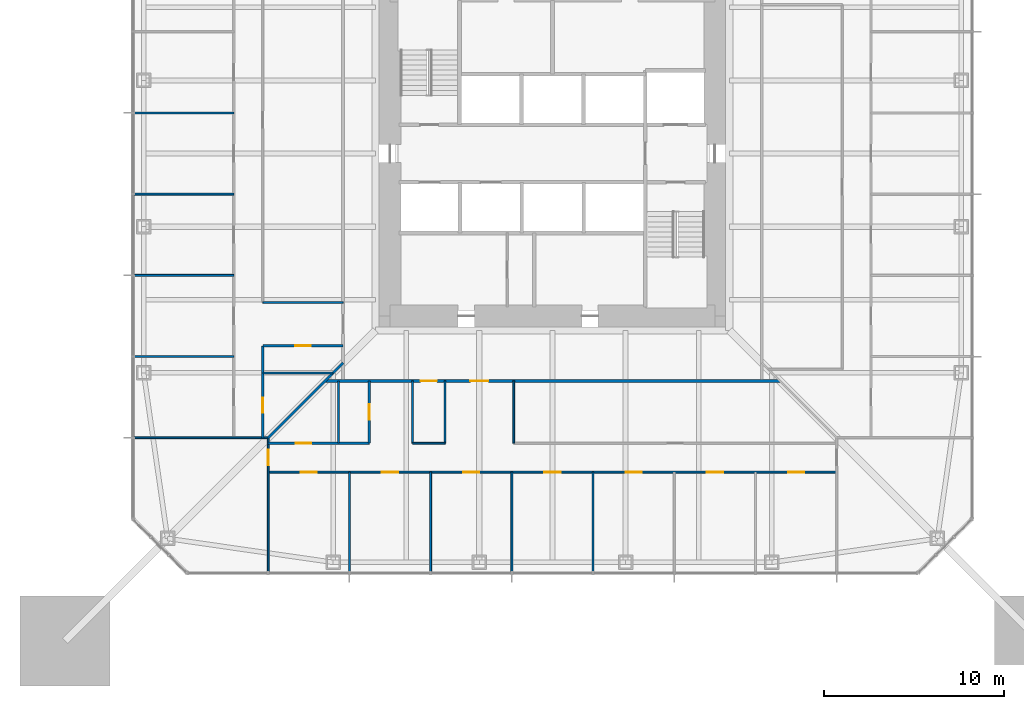
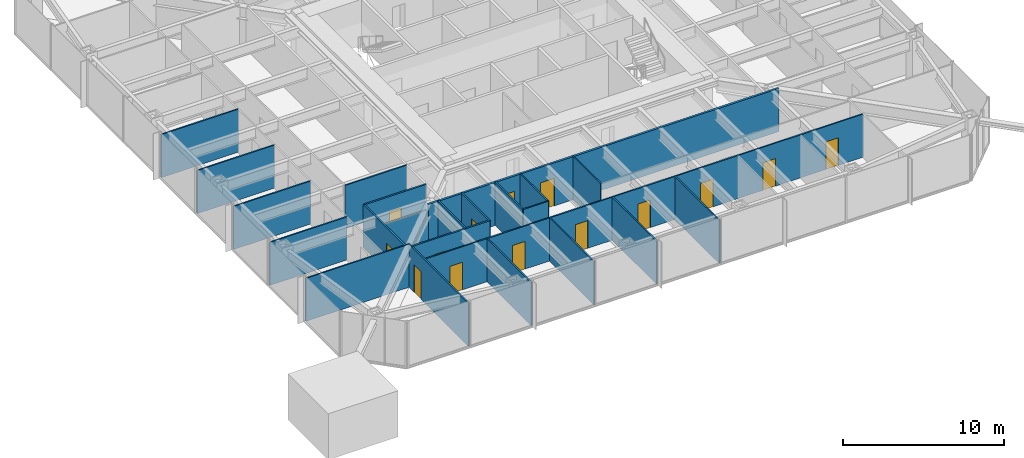
# One storey, part 14 of 26: 24 walls, 14 doors, 14 openings.
"""IFC4 building model written with IfcOpenShell, lengths in metres."""

from ifc_helpers import new_model, si_unit, direction, frame, frame_2d, origin, place, context, subcontext, project, spatial, rectangle, extrude, material, layer, layer_set, type_object, element, fill, save


model = new_model("IFC4")

# Units and contexts
model_context = context("Model", 3, precision=1e-05, world=origin(), true_north=direction((0.0, 1.0)))
body_context = subcontext(model_context, "Body", "Model", "MODEL_VIEW")
ifc_project = project(units=[si_unit("LENGTHUNIT", "METRE"), si_unit("AREAUNIT", "SQUARE_METRE"), si_unit("VOLUMEUNIT", "CUBIC_METRE"), si_unit("PLANEANGLEUNIT", "RADIAN"), si_unit("MASSUNIT", "GRAM", prefix="KILO")], contexts=[model_context])

# Site, building, storey
site_placement = place(None, origin())
site = spatial("IfcSite", under=ifc_project, at=site_placement, CompositionType="ELEMENT")
building_placement = place(site_placement, origin())
building = spatial("IfcBuilding", under=site, at=building_placement, Name="Iwan Alto Co-Living Towers", CompositionType="ELEMENT")
storey_placement = place(building_placement, frame((0.0, 0.0, 18.5)))
storey = spatial("IfcBuildingStorey", under=building, at=storey_placement, Name="L04", CompositionType="ELEMENT", Elevation=18.5)

# Wall, openings, doors
ifc_material_1 = material(Name="Gypsum board")
ifc_layer_1 = layer(ifc_material_1, 0.02490234375, Name="Board", Category="Finish")
ifc_material_2 = material(Name="Steel ASTM A1003 ST33H cold-formed studs", Category="steel")
ifc_layer_2 = layer(ifc_material_2, 0.10009765625, Name="Studs", Category="Framing")
ifc_layer_3 = layer(ifc_material_1, 0.02490234375, Name="Board", Category="Finish")
ifc_layer_set_1 = layer_set([ifc_layer_1, ifc_layer_2, ifc_layer_3], Name="CORRIDOR WALL 150")
wall_type_1 = type_object("IfcWallType", Name="CORRIDOR WALL 150", PredefinedType="PARTITIONING", material=ifc_layer_set_1)
wall_1_placement = place(storey_placement, frame((-12.60009765625, -12.60009765625, 0.0), z_axis=(0.0, 0.0, 1.0), x_axis=(1.0, 0.0, 0.0)))
wall_1 = element("IfcWall", 1, at=wall_1_placement, inside=storey, type_object=wall_type_1, Name="Partition L04", PredefinedType="PARTITIONING", context=body_context, shape_type="SweptSolid", body=[
    extrude(rectangle(XDim=25.2001953125, YDim=0.14990234375, at=frame_2d((12.60009765625, 0.0))), origin(), (0.0, 0.0, 1.0), 3.27001953125),
])
opening_1_placement = place(wall_1_placement, frame((8.050048828125, 0.0, 0.0)))
opening_1 = element("IfcOpeningElement", 2, at=opening_1_placement, cuts=wall_1, Name="Opening D3", PredefinedType="OPENING", context=body_context, shape_type="SweptSolid", body=[
    extrude(rectangle(XDim=1.0, YDim=2.10009765625, at=frame_2d((0.5, 1.050048828125))), frame((0.0, 0.0849609375, 0.0), z_axis=(0.0, -1.0, 0.0), x_axis=(1.0, 0.0, 0.0)), (0.0, 0.0, 1.0), 0.169921875),
])
opening_2_placement = place(wall_1_placement, frame((5.300048828125, 0.0, 0.0)))
opening_2 = element("IfcOpeningElement", 3, at=opening_2_placement, cuts=wall_1, Name="Opening D8", PredefinedType="OPENING", context=body_context, shape_type="SweptSolid", body=[
    extrude(rectangle(XDim=0.89990234375, YDim=2.10009765625, at=frame_2d((0.449951171875, 1.050048828125))), frame((0.0, 0.0849609375, 0.0), z_axis=(0.0, -1.0, 0.0), x_axis=(1.0, 0.0, 0.0)), (0.0, 0.0, 1.0), 0.169921875),
])
ifc_material_3 = material(Name="Steel frame with timber leaf", Category="steel")
door_type_1 = type_object("IfcDoorType", Name="FLAT ENTRANCE DOOR FD30S 1000X2100", OperationType="SINGLE_SWING_LEFT", PredefinedType="DOOR", material=ifc_material_3)
door_1_placement = place(opening_1_placement, frame((1.0, 0.0, 0.0), z_axis=(0.0, 0.0, 1.0), x_axis=(-1.0, 0.0, 0.0)))
door_1 = element("IfcDoor", 4, at=door_1_placement, inside=storey, type_object=door_type_1, Name="Cluster lounge door L04", OperationType="SINGLE_SWING_RIGHT", OverallHeight=2.10009765625, OverallWidth=1.0, PredefinedType="DOOR", context=body_context, shape_type="SweptSolid", body=[
    extrude(rectangle(XDim=1.0, YDim=2.10009765625, at=frame_2d((0.5, 1.050048828125))), frame((0.0, 0.02490234375, 0.0), z_axis=(0.0, -1.0, 0.0), x_axis=(1.0, 0.0, 0.0)), (0.0, 0.0, 1.0), 0.050048828125),
])
fill(opening_1, door_1)
ifc_material_4 = material(Name="Steel frame with timber leaf", Category="steel")
door_type_2 = type_object("IfcDoorType", Name="RISER DOOR FD120 900X2100", OperationType="SINGLE_SWING_LEFT", PredefinedType="DOOR", material=ifc_material_4)
door_2_placement = place(opening_2_placement, frame((0.89990234375, 0.0, 0.0), z_axis=(0.0, 0.0, 1.0), x_axis=(-1.0, 0.0, 0.0)))
door_2 = element("IfcDoor", 5, at=door_2_placement, inside=storey, type_object=door_type_2, Name="Staff WC door L04", OperationType="SINGLE_SWING_RIGHT", OverallHeight=2.10009765625, OverallWidth=0.89990234375, PredefinedType="DOOR", context=body_context, shape_type="SweptSolid", body=[
    extrude(rectangle(XDim=0.89990234375, YDim=2.10009765625, at=frame_2d((0.449951171875, 1.050048828125))), frame((0.0, 0.02490234375, 0.0), z_axis=(0.0, -1.0, 0.0), x_axis=(1.0, 0.0, 0.0)), (0.0, 0.0, 1.0), 0.050048828125),
])
fill(opening_2, door_2)

ifc_layer_4 = layer(ifc_material_1, 0.012451171875, Name="Board", Category="Finish")
ifc_layer_5 = layer(ifc_material_2, 0.074951171875, Name="Studs", Category="Framing")
ifc_layer_6 = layer(ifc_material_1, 0.012451171875, Name="Board", Category="Finish")
ifc_layer_set_2 = layer_set([ifc_layer_4, ifc_layer_5, ifc_layer_6], Name="PARTITION 100")
wall_type_2 = type_object("IfcWallType", Name="PARTITION 100", PredefinedType="PARTITIONING", material=ifc_layer_set_2)
wall_2_placement = place(storey_placement, frame((-15.75, -17.64990234375, 0.0), z_axis=(0.0, 0.0, 1.0), x_axis=(1.0, 0.0, 0.0)))
wall_2 = element("IfcWall", 6, at=wall_2_placement, inside=storey, type_object=wall_type_2, Name="Partition L04", PredefinedType="PARTITIONING", context=body_context, shape_type="SweptSolid", body=[
    extrude(rectangle(XDim=31.5, YDim=0.10009765625, at=frame_2d((15.75, 0.0))), origin(), (0.0, 0.0, 1.0), 3.27001953125),
])
opening_3_placement = place(wall_2_placement, frame((1.800048828125, 0.0, 0.0)))
opening_3 = element("IfcOpeningElement", 7, at=opening_3_placement, cuts=wall_2, Name="Opening D1", PredefinedType="OPENING", context=body_context, shape_type="SweptSolid", body=[
    extrude(rectangle(XDim=0.89990234375, YDim=2.10009765625, at=frame_2d((0.449951171875, 1.050048828125))), frame((0.0, 0.06005859375, 0.0), z_axis=(0.0, -1.0, 0.0), x_axis=(1.0, 0.0, 0.0)), (0.0, 0.0, 1.0), 0.1201171875),
])
opening_4_placement = place(wall_2_placement, frame((6.300048828125, 0.0, 0.0)))
opening_4 = element("IfcOpeningElement", 8, at=opening_4_placement, cuts=wall_2, Name="Opening D1", PredefinedType="OPENING", context=body_context, shape_type="SweptSolid", body=[
    extrude(rectangle(XDim=0.89990234375, YDim=2.10009765625, at=frame_2d((0.449951171875, 1.050048828125))), frame((0.0, 0.06005859375, 0.0), z_axis=(0.0, -1.0, 0.0), x_axis=(1.0, 0.0, 0.0)), (0.0, 0.0, 1.0), 0.1201171875),
])
opening_5_placement = place(wall_2_placement, frame((10.800048828125, 0.0, 0.0)))
opening_5 = element("IfcOpeningElement", 9, at=opening_5_placement, cuts=wall_2, Name="Opening D1", PredefinedType="OPENING", context=body_context, shape_type="SweptSolid", body=[
    extrude(rectangle(XDim=0.89990234375, YDim=2.10009765625, at=frame_2d((0.449951171875, 1.050048828125))), frame((0.0, 0.06005859375, 0.0), z_axis=(0.0, -1.0, 0.0), x_axis=(1.0, 0.0, 0.0)), (0.0, 0.0, 1.0), 0.1201171875),
])
opening_6_placement = place(wall_2_placement, frame((15.300048828125, 0.0, 0.0)))
opening_6 = element("IfcOpeningElement", 10, at=opening_6_placement, cuts=wall_2, Name="Opening D1", PredefinedType="OPENING", context=body_context, shape_type="SweptSolid", body=[
    extrude(rectangle(XDim=0.89990234375, YDim=2.10009765625, at=frame_2d((0.449951171875, 1.050048828125))), frame((0.0, 0.06005859375, 0.0), z_axis=(0.0, -1.0, 0.0), x_axis=(1.0, 0.0, 0.0)), (0.0, 0.0, 1.0), 0.1201171875),
])
opening_7_placement = place(wall_2_placement, frame((19.800048828125, 0.0, 0.0)))
opening_7 = element("IfcOpeningElement", 11, at=opening_7_placement, cuts=wall_2, Name="Opening D1", PredefinedType="OPENING", context=body_context, shape_type="SweptSolid", body=[
    extrude(rectangle(XDim=0.89990234375, YDim=2.10009765625, at=frame_2d((0.449951171875, 1.050048828125))), frame((0.0, 0.06005859375, 0.0), z_axis=(0.0, -1.0, 0.0), x_axis=(1.0, 0.0, 0.0)), (0.0, 0.0, 1.0), 0.1201171875),
])
opening_8_placement = place(wall_2_placement, frame((24.300048828125, 0.0, 0.0)))
opening_8 = element("IfcOpeningElement", 12, at=opening_8_placement, cuts=wall_2, Name="Opening D1", PredefinedType="OPENING", context=body_context, shape_type="SweptSolid", body=[
    extrude(rectangle(XDim=0.89990234375, YDim=2.10009765625, at=frame_2d((0.449951171875, 1.050048828125))), frame((0.0, 0.06005859375, 0.0), z_axis=(0.0, -1.0, 0.0), x_axis=(1.0, 0.0, 0.0)), (0.0, 0.0, 1.0), 0.1201171875),
])
opening_9_placement = place(wall_2_placement, frame((28.800048828125, 0.0, 0.0)))
opening_9 = element("IfcOpeningElement", 13, at=opening_9_placement, cuts=wall_2, Name="Opening D1", PredefinedType="OPENING", context=body_context, shape_type="SweptSolid", body=[
    extrude(rectangle(XDim=0.89990234375, YDim=2.10009765625, at=frame_2d((0.449951171875, 1.050048828125))), frame((0.0, 0.06005859375, 0.0), z_axis=(0.0, -1.0, 0.0), x_axis=(1.0, 0.0, 0.0)), (0.0, 0.0, 1.0), 0.1201171875),
])
ifc_material_5 = material(Name="Timber leaf in steel frame", Category="steel")
door_type_3 = type_object("IfcDoorType", Name="BEDROOM DOOR 900X2100", OperationType="SINGLE_SWING_LEFT", PredefinedType="DOOR", material=ifc_material_5)
door_3_placement = place(opening_3_placement, origin())
door_3 = element("IfcDoor", 14, at=door_3_placement, inside=storey, type_object=door_type_3, Name="Study bedroom door L04", OperationType="SINGLE_SWING_LEFT", OverallHeight=2.10009765625, OverallWidth=0.89990234375, PredefinedType="DOOR", context=body_context, shape_type="SweptSolid", body=[
    extrude(rectangle(XDim=0.89990234375, YDim=2.10009765625, at=frame_2d((0.449951171875, 1.050048828125))), frame((0.0, 0.02490234375, 0.0), z_axis=(0.0, -1.0, 0.0), x_axis=(1.0, 0.0, 0.0)), (0.0, 0.0, 1.0), 0.050048828125),
])
fill(opening_3, door_3)
door_4_placement = place(opening_4_placement, origin())
door_4 = element("IfcDoor", 15, at=door_4_placement, inside=storey, type_object=door_type_3, Name="Study bedroom door L04", OperationType="SINGLE_SWING_LEFT", OverallHeight=2.10009765625, OverallWidth=0.89990234375, PredefinedType="DOOR", context=body_context, shape_type="SweptSolid", body=[
    extrude(rectangle(XDim=0.89990234375, YDim=2.10009765625, at=frame_2d((0.449951171875, 1.050048828125))), frame((0.0, 0.02490234375, 0.0), z_axis=(0.0, -1.0, 0.0), x_axis=(1.0, 0.0, 0.0)), (0.0, 0.0, 1.0), 0.050048828125),
])
fill(opening_4, door_4)
door_5_placement = place(opening_5_placement, origin())
door_5 = element("IfcDoor", 16, at=door_5_placement, inside=storey, type_object=door_type_3, Name="Study bedroom door L04", OperationType="SINGLE_SWING_LEFT", OverallHeight=2.10009765625, OverallWidth=0.89990234375, PredefinedType="DOOR", context=body_context, shape_type="SweptSolid", body=[
    extrude(rectangle(XDim=0.89990234375, YDim=2.10009765625, at=frame_2d((0.449951171875, 1.050048828125))), frame((0.0, 0.02490234375, 0.0), z_axis=(0.0, -1.0, 0.0), x_axis=(1.0, 0.0, 0.0)), (0.0, 0.0, 1.0), 0.050048828125),
])
fill(opening_5, door_5)
door_6_placement = place(opening_6_placement, origin())
door_6 = element("IfcDoor", 17, at=door_6_placement, inside=storey, type_object=door_type_3, Name="Study bedroom door L04", OperationType="SINGLE_SWING_LEFT", OverallHeight=2.10009765625, OverallWidth=0.89990234375, PredefinedType="DOOR", context=body_context, shape_type="SweptSolid", body=[
    extrude(rectangle(XDim=0.89990234375, YDim=2.10009765625, at=frame_2d((0.449951171875, 1.050048828125))), frame((0.0, 0.02490234375, 0.0), z_axis=(0.0, -1.0, 0.0), x_axis=(1.0, 0.0, 0.0)), (0.0, 0.0, 1.0), 0.050048828125),
])
fill(opening_6, door_6)
door_7_placement = place(opening_7_placement, origin())
door_7 = element("IfcDoor", 18, at=door_7_placement, inside=storey, type_object=door_type_3, Name="Study bedroom door L04", OperationType="SINGLE_SWING_RIGHT", OverallHeight=2.10009765625, OverallWidth=0.89990234375, PredefinedType="DOOR", context=body_context, shape_type="SweptSolid", body=[
    extrude(rectangle(XDim=0.89990234375, YDim=2.10009765625, at=frame_2d((0.449951171875, 1.050048828125))), frame((0.0, 0.02490234375, 0.0), z_axis=(0.0, -1.0, 0.0), x_axis=(1.0, 0.0, 0.0)), (0.0, 0.0, 1.0), 0.050048828125),
])
fill(opening_7, door_7)
door_8_placement = place(opening_8_placement, origin())
door_8 = element("IfcDoor", 19, at=door_8_placement, inside=storey, type_object=door_type_3, Name="Study bedroom door L04", OperationType="SINGLE_SWING_RIGHT", OverallHeight=2.10009765625, OverallWidth=0.89990234375, PredefinedType="DOOR", context=body_context, shape_type="SweptSolid", body=[
    extrude(rectangle(XDim=0.89990234375, YDim=2.10009765625, at=frame_2d((0.449951171875, 1.050048828125))), frame((0.0, 0.02490234375, 0.0), z_axis=(0.0, -1.0, 0.0), x_axis=(1.0, 0.0, 0.0)), (0.0, 0.0, 1.0), 0.050048828125),
])
fill(opening_8, door_8)
door_9_placement = place(opening_9_placement, origin())
door_9 = element("IfcDoor", 20, at=door_9_placement, inside=storey, type_object=door_type_3, Name="Study bedroom door L04", OperationType="SINGLE_SWING_RIGHT", OverallHeight=2.10009765625, OverallWidth=0.89990234375, PredefinedType="DOOR", context=body_context, shape_type="SweptSolid", body=[
    extrude(rectangle(XDim=0.89990234375, YDim=2.10009765625, at=frame_2d((0.449951171875, 1.050048828125))), frame((0.0, 0.02490234375, 0.0), z_axis=(0.0, -1.0, 0.0), x_axis=(1.0, 0.0, 0.0)), (0.0, 0.0, 1.0), 0.050048828125),
])
fill(opening_9, door_9)

# Walls
wall_3_placement = place(storey_placement, frame((-7.75, -16.050048828125, 0.0), z_axis=(0.0, 0.0, 1.0), x_axis=(1.0, 0.0, 0.0)))
element("IfcWall", 21, at=wall_3_placement, inside=storey, type_object=wall_type_2, Name="Partition L04", PredefinedType="PARTITIONING", context=body_context, shape_type="SweptSolid", body=[
    extrude(rectangle(XDim=1.800048828125, YDim=0.10009765625, at=frame_2d((0.89990234375, 0.0))), origin(), (0.0, 0.0, 1.0), 3.27001953125),
])
wall_4_placement = place(storey_placement, frame((-23.18994140625, -15.75, 0.0), z_axis=(0.0, 0.0, 1.0), x_axis=(1.0, 0.0, 0.0)))
element("IfcWall", 22, at=wall_4_placement, inside=storey, type_object=wall_type_2, Name="Partition L04", PredefinedType="PARTITIONING", context=body_context, shape_type="SweptSolid", body=[
    extrude(rectangle(XDim=7.43994140625, YDim=0.10009765625, at=frame_2d((3.719970703125, 0.0))), origin(), (0.0, 0.0, 1.0), 3.27001953125),
])
wall_5_placement = place(storey_placement, frame((-23.18994140625, -11.25, 0.0), z_axis=(0.0, 0.0, 1.0), x_axis=(1.0, 0.0, 0.0)))
element("IfcWall", 23, at=wall_5_placement, inside=storey, type_object=wall_type_2, Name="Partition L04", PredefinedType="PARTITIONING", context=body_context, shape_type="SweptSolid", body=[
    extrude(rectangle(XDim=5.5400390625, YDim=0.10009765625, at=frame_2d((2.77001953125, 0.0))), origin(), (0.0, 0.0, 1.0), 3.27001953125),
])
wall_6_placement = place(storey_placement, frame((-16.050048828125, -8.25, 0.0), z_axis=(0.0, 0.0, 1.0), x_axis=(1.0, 0.0, 0.0)))
element("IfcWall", 24, at=wall_6_placement, inside=storey, type_object=wall_type_2, Name="Partition L04", PredefinedType="PARTITIONING", context=body_context, shape_type="SweptSolid", body=[
    extrude(rectangle(XDim=4.449951171875, YDim=0.10009765625, at=frame_2d((2.22509765625, 0.0))), origin(), (0.0, 0.0, 1.0), 3.27001953125),
])
for number, where, z_axis, x_axis, name in (
    (25, (-23.18994140625, -6.75, 0.0), (0.0, 0.0, 1.0), (1.0, 0.0, 0.0), "Partition L04"),
    (26, (-23.18994140625, -2.25, 0.0), (0.0, 0.0, 1.0), (1.0, 0.0, 0.0), "Partition L04"),
    (27, (-23.18994140625, 2.25, 0.0), (0.0, 0.0, 1.0), (1.0, 0.0, 0.0), "Partition L04"),
    (28, (2.25, -23.18994140625, 0.0), (0.0, 0.0, 1.0), (0.0, 1.0, 0.0), "Partition L04"),
):
    element("IfcWall", number, at=place(storey_placement, frame(where, z_axis=z_axis, x_axis=x_axis)), inside=storey, type_object=wall_type_2, Name=name, PredefinedType="PARTITIONING", context=body_context, shape_type="SweptSolid", body=[
        extrude(rectangle(XDim=5.5400390625, YDim=0.10009765625, at=frame_2d((2.77001953125, 0.0))), origin(), (0.0, 0.0, 1.0), 3.27001953125),
    ])
wall_7_placement = place(storey_placement, frame((-2.14990234375, -16.050048828125, 0.0), z_axis=(0.0, 0.0, 1.0), x_axis=(0.0, 1.0, 0.0)))
element("IfcWall", 29, at=wall_7_placement, inside=storey, type_object=wall_type_2, Name="Partition L04", PredefinedType="PARTITIONING", context=body_context, shape_type="SweptSolid", body=[
    extrude(rectangle(XDim=3.449951171875, YDim=0.10009765625, at=frame_2d((1.72509765625, 0.0))), origin(), (0.0, 0.0, 1.0), 3.27001953125),
])
wall_8_placement = place(storey_placement, frame((-2.25, -23.18994140625, 0.0), z_axis=(0.0, 0.0, 1.0), x_axis=(0.0, 1.0, 0.0)))
element("IfcWall", 30, at=wall_8_placement, inside=storey, type_object=wall_type_2, Name="Partition L04", PredefinedType="PARTITIONING", context=body_context, shape_type="SweptSolid", body=[
    extrude(rectangle(XDim=5.5400390625, YDim=0.10009765625, at=frame_2d((2.77001953125, 0.0))), origin(), (0.0, 0.0, 1.0), 3.27001953125),
])
wall_9_placement = place(storey_placement, frame((-5.949951171875, -16.050048828125, 0.0), z_axis=(0.0, 0.0, 1.0), x_axis=(0.0, 1.0, 0.0)))
element("IfcWall", 31, at=wall_9_placement, inside=storey, type_object=wall_type_2, Name="Partition L04", PredefinedType="PARTITIONING", context=body_context, shape_type="SweptSolid", body=[
    extrude(rectangle(XDim=3.449951171875, YDim=0.10009765625, at=frame_2d((1.72509765625, 0.0))), origin(), (0.0, 0.0, 1.0), 3.27001953125),
])
wall_10_placement = place(storey_placement, frame((-6.75, -23.18994140625, 0.0), z_axis=(0.0, 0.0, 1.0), x_axis=(0.0, 1.0, 0.0)))
element("IfcWall", 32, at=wall_10_placement, inside=storey, type_object=wall_type_2, Name="Partition L04", PredefinedType="PARTITIONING", context=body_context, shape_type="SweptSolid", body=[
    extrude(rectangle(XDim=5.5400390625, YDim=0.10009765625, at=frame_2d((2.77001953125, 0.0))), origin(), (0.0, 0.0, 1.0), 3.27001953125),
])
wall_11_placement = place(storey_placement, frame((-7.75, -16.050048828125, 0.0), z_axis=(0.0, 0.0, 1.0), x_axis=(0.0, 1.0, 0.0)))
element("IfcWall", 33, at=wall_11_placement, inside=storey, type_object=wall_type_2, Name="Partition L04", PredefinedType="PARTITIONING", context=body_context, shape_type="SweptSolid", body=[
    extrude(rectangle(XDim=3.449951171875, YDim=0.10009765625, at=frame_2d((1.72509765625, 0.0))), origin(), (0.0, 0.0, 1.0), 3.27001953125),
])
wall_12_placement = place(storey_placement, frame((-11.25, -23.18994140625, 0.0), z_axis=(0.0, 0.0, 1.0), x_axis=(0.0, 1.0, 0.0)))
element("IfcWall", 34, at=wall_12_placement, inside=storey, type_object=wall_type_2, Name="Partition L04", PredefinedType="PARTITIONING", context=body_context, shape_type="SweptSolid", body=[
    extrude(rectangle(XDim=5.5400390625, YDim=0.10009765625, at=frame_2d((2.77001953125, 0.0))), origin(), (0.0, 0.0, 1.0), 3.27001953125),
])

# Wall, opening, door
wall_13_placement = place(storey_placement, frame((-15.75, -23.18994140625, 0.0), z_axis=(0.0, 0.0, 1.0), x_axis=(0.0, 1.0, 0.0)))
wall_13 = element("IfcWall", 35, at=wall_13_placement, inside=storey, type_object=wall_type_2, Name="Partition L04", PredefinedType="PARTITIONING", context=body_context, shape_type="SweptSolid", body=[
    extrude(rectangle(XDim=7.43994140625, YDim=0.10009765625, at=frame_2d((3.719970703125, 0.0))), origin(), (0.0, 0.0, 1.0), 3.27001953125),
])
opening_10_placement = place(wall_13_placement, frame((5.9150390625, 0.0, 0.0)))
opening_10 = element("IfcOpeningElement", 36, at=opening_10_placement, cuts=wall_13, Name="Opening D2", PredefinedType="OPENING", context=body_context, shape_type="SweptSolid", body=[
    extrude(rectangle(XDim=0.85009765625, YDim=2.10009765625, at=frame_2d((0.425048828125, 1.050048828125))), frame((0.0, 0.06005859375, 0.0), z_axis=(0.0, -1.0, 0.0), x_axis=(1.0, 0.0, 0.0)), (0.0, 0.0, 1.0), 0.1201171875),
])
ifc_material_6 = material(Name="Timber leaf in steel frame", Category="steel")
door_type_4 = type_object("IfcDoorType", Name="ROOM DOOR 850X2100", OperationType="SINGLE_SWING_LEFT", PredefinedType="DOOR", material=ifc_material_6)
door_10_placement = place(opening_10_placement, frame((0.85009765625, 0.0, 0.0), z_axis=(0.0, 0.0, 1.0), x_axis=(-1.0, 0.0, 0.0)))
door_10 = element("IfcDoor", 37, at=door_10_placement, inside=storey, type_object=door_type_4, Name="Shared kitchen and dining room door L04", OperationType="SINGLE_SWING_RIGHT", OverallHeight=2.10009765625, OverallWidth=0.85009765625, PredefinedType="DOOR", context=body_context, shape_type="SweptSolid", body=[
    extrude(rectangle(XDim=0.85009765625, YDim=2.10009765625, at=frame_2d((0.425048828125, 1.050048828125))), frame((0.0, 0.02490234375, 0.0), z_axis=(0.0, -1.0, 0.0), x_axis=(1.0, 0.0, 0.0)), (0.0, 0.0, 1.0), 0.050048828125),
])
fill(opening_10, door_10)

ifc_material_7 = material(Name="Cement board")
ifc_layer_7 = layer(ifc_material_7, 0.012451171875, Name="Board", Category="Finish")
ifc_layer_8 = layer(ifc_material_2, 0.094970703125, Name="Studs", Category="Framing")
ifc_layer_9 = layer(ifc_material_7, 0.012451171875, Name="Board", Category="Finish")
ifc_layer_set_3 = layer_set([ifc_layer_7, ifc_layer_8, ifc_layer_9], Name="WET AREA PARTITION 120")
wall_type_3 = type_object("IfcWallType", Name="WET AREA PARTITION 120", PredefinedType="PARTITIONING", material=ifc_layer_set_3)
wall_14_placement = place(storey_placement, frame((-15.75, -16.050048828125, 0.0), z_axis=(0.0, 0.0, 1.0), x_axis=(1.0, 0.0, 0.0)))
wall_14 = element("IfcWall", 38, at=wall_14_placement, inside=storey, type_object=wall_type_3, Name="Partition L04", PredefinedType="PARTITIONING", context=body_context, shape_type="SweptSolid", body=[
    extrude(rectangle(XDim=5.60009765625, YDim=0.1201171875, at=frame_2d((2.800048828125, 0.0))), origin(), (0.0, 0.0, 1.0), 3.27001953125),
])
opening_11_placement = place(wall_14_placement, frame((1.52490234375, 0.0, 0.0)))
opening_11 = element("IfcOpeningElement", 39, at=opening_11_placement, cuts=wall_14, Name="Opening D2", PredefinedType="OPENING", context=body_context, shape_type="SweptSolid", body=[
    extrude(rectangle(XDim=0.85009765625, YDim=2.10009765625, at=frame_2d((0.425048828125, 1.050048828125))), frame((0.0, 0.070068359375, 0.0), z_axis=(0.0, -1.0, 0.0), x_axis=(1.0, 0.0, 0.0)), (0.0, 0.0, 1.0), 0.14013671875),
])
door_11_placement = place(opening_11_placement, frame((0.85009765625, 0.0, 0.0), z_axis=(0.0, 0.0, 1.0), x_axis=(-1.0, 0.0, 0.0)))
door_11 = element("IfcDoor", 40, at=door_11_placement, inside=storey, type_object=door_type_4, Name="Accessible bathroom door L04", OperationType="SINGLE_SWING_RIGHT", OverallHeight=2.10009765625, OverallWidth=0.85009765625, PredefinedType="DOOR", context=body_context, shape_type="SweptSolid", body=[
    extrude(rectangle(XDim=0.85009765625, YDim=2.10009765625, at=frame_2d((0.425048828125, 1.050048828125))), frame((0.0, 0.02490234375, 0.0), z_axis=(0.0, -1.0, 0.0), x_axis=(1.0, 0.0, 0.0)), (0.0, 0.0, 1.0), 0.050048828125),
])
fill(opening_11, door_11)

# Wall
wall_15_placement = place(storey_placement, frame((-16.050048828125, -12.14990234375, 0.0), z_axis=(0.0, 0.0, 1.0), x_axis=(1.0, 0.0, 0.0)))
element("IfcWall", 41, at=wall_15_placement, inside=storey, type_object=wall_type_3, Name="Partition L04", PredefinedType="PARTITIONING", context=body_context, shape_type="SweptSolid", body=[
    extrude(rectangle(XDim=3.900146484375, YDim=0.1201171875, at=frame_2d((1.9501953125, 0.0))), origin(), (0.0, 0.0, 1.0), 2.508056640625),
])

# Wall, opening, door
wall_16_placement = place(storey_placement, frame((-16.050048828125, -10.64990234375, 0.0), z_axis=(0.0, 0.0, 1.0), x_axis=(1.0, 0.0, 0.0)))
wall_16 = element("IfcWall", 42, at=wall_16_placement, inside=storey, type_object=wall_type_3, Name="Partition L04", PredefinedType="PARTITIONING", context=body_context, shape_type="SweptSolid", body=[
    extrude(rectangle(XDim=4.449951171875, YDim=0.1201171875, at=frame_2d((2.22509765625, 0.0))), origin(), (0.0, 0.0, 1.0), 3.27001953125),
])
opening_12_placement = place(wall_16_placement, frame((1.800048828125, 0.0, 0.0)))
opening_12 = element("IfcOpeningElement", 43, at=opening_12_placement, cuts=wall_16, Name="Opening D2", PredefinedType="OPENING", context=body_context, shape_type="SweptSolid", body=[
    extrude(rectangle(XDim=0.85009765625, YDim=2.10009765625, at=frame_2d((0.425048828125, 1.050048828125))), frame((0.0, 0.070068359375, 0.0), z_axis=(0.0, -1.0, 0.0), x_axis=(1.0, 0.0, 0.0)), (0.0, 0.0, 1.0), 0.14013671875),
])
door_12_placement = place(opening_12_placement, origin())
door_12 = element("IfcDoor", 44, at=door_12_placement, inside=storey, type_object=door_type_4, Name="Bathroom door L04", OperationType="SINGLE_SWING_RIGHT", OverallHeight=2.10009765625, OverallWidth=0.85009765625, PredefinedType="DOOR", context=body_context, shape_type="SweptSolid", body=[
    extrude(rectangle(XDim=0.85009765625, YDim=2.10009765625, at=frame_2d((0.425048828125, 1.050048828125))), frame((0.0, 0.02490234375, 0.0), z_axis=(0.0, -1.0, 0.0), x_axis=(1.0, 0.0, 0.0)), (0.0, 0.0, 1.0), 0.050048828125),
])
fill(opening_12, door_12)

# Wall
wall_17_placement = place(storey_placement, frame((-15.75, -15.75, 0.0), z_axis=(0.0, 0.0, 1.0), x_axis=(0.707106781187, 0.707106781187, 0.0)))
element("IfcWall", 45, at=wall_17_placement, inside=storey, type_object=wall_type_3, Name="Partition L04", PredefinedType="PARTITIONING", context=body_context, shape_type="SweptSolid", body=[
    extrude(rectangle(XDim=5.868896484375, YDim=0.1201171875, at=frame_2d((2.9345703125, 0.0))), origin(), (0.0, 0.0, 1.0), 2.343017578125),
])

# Wall, opening, door
wall_18_placement = place(storey_placement, frame((-10.14990234375, -16.050048828125, 0.0), z_axis=(0.0, 0.0, 1.0), x_axis=(0.0, 1.0, 0.0)))
wall_18 = element("IfcWall", 46, at=wall_18_placement, inside=storey, type_object=wall_type_3, Name="Partition L04", PredefinedType="PARTITIONING", context=body_context, shape_type="SweptSolid", body=[
    extrude(rectangle(XDim=3.449951171875, YDim=0.1201171875, at=frame_2d((1.72509765625, 0.0))), origin(), (0.0, 0.0, 1.0), 3.27001953125),
])
opening_13_placement = place(wall_18_placement, frame((1.300048828125, 0.0, 0.0)))
opening_13 = element("IfcOpeningElement", 47, at=opening_13_placement, cuts=wall_18, Name="Opening D2", PredefinedType="OPENING", context=body_context, shape_type="SweptSolid", body=[
    extrude(rectangle(XDim=0.85009765625, YDim=2.10009765625, at=frame_2d((0.425048828125, 1.050048828125))), frame((0.0, 0.070068359375, 0.0), z_axis=(0.0, -1.0, 0.0), x_axis=(1.0, 0.0, 0.0)), (0.0, 0.0, 1.0), 0.14013671875),
])
door_13_placement = place(opening_13_placement, frame((0.85009765625, 0.0, 0.0), z_axis=(0.0, 0.0, 1.0), x_axis=(-1.0, 0.0, 0.0)))
door_13 = element("IfcDoor", 48, at=door_13_placement, inside=storey, type_object=door_type_4, Name="Bathroom door L04", OperationType="SINGLE_SWING_LEFT", OverallHeight=2.10009765625, OverallWidth=0.85009765625, PredefinedType="DOOR", context=body_context, shape_type="SweptSolid", body=[
    extrude(rectangle(XDim=0.85009765625, YDim=2.10009765625, at=frame_2d((0.425048828125, 1.050048828125))), frame((0.0, 0.02490234375, 0.0), z_axis=(0.0, -1.0, 0.0), x_axis=(1.0, 0.0, 0.0)), (0.0, 0.0, 1.0), 0.050048828125),
])
fill(opening_13, door_13)

# Wall
wall_19_placement = place(storey_placement, frame((-11.85009765625, -16.050048828125, 0.0), z_axis=(0.0, 0.0, 1.0), x_axis=(0.0, 1.0, 0.0)))
element("IfcWall", 49, at=wall_19_placement, inside=storey, type_object=wall_type_3, Name="Partition L04", PredefinedType="PARTITIONING", context=body_context, shape_type="SweptSolid", body=[
    extrude(rectangle(XDim=3.449951171875, YDim=0.1201171875, at=frame_2d((1.72509765625, 0.0))), origin(), (0.0, 0.0, 1.0), 3.27001953125),
])

# Wall, opening, door
wall_20_placement = place(storey_placement, frame((-16.050048828125, -15.75, 0.0), z_axis=(0.0, 0.0, 1.0), x_axis=(0.0, 1.0, 0.0)))
wall_20 = element("IfcWall", 50, at=wall_20_placement, inside=storey, type_object=wall_type_3, Name="Partition L04", PredefinedType="PARTITIONING", context=body_context, shape_type="SweptSolid", body=[
    extrude(rectangle(XDim=5.10009765625, YDim=0.1201171875, at=frame_2d((2.550048828125, 0.0))), origin(), (0.0, 0.0, 1.0), 3.27001953125),
])
opening_14_placement = place(wall_20_placement, frame((1.375, 0.0, 0.0)))
opening_14 = element("IfcOpeningElement", 51, at=opening_14_placement, cuts=wall_20, Name="Opening D2", PredefinedType="OPENING", context=body_context, shape_type="SweptSolid", body=[
    extrude(rectangle(XDim=0.85009765625, YDim=2.10009765625, at=frame_2d((0.425048828125, 1.050048828125))), frame((0.0, 0.070068359375, 0.0), z_axis=(0.0, -1.0, 0.0), x_axis=(1.0, 0.0, 0.0)), (0.0, 0.0, 1.0), 0.14013671875),
])
door_14_placement = place(opening_14_placement, origin())
door_14 = element("IfcDoor", 52, at=door_14_placement, inside=storey, type_object=door_type_4, Name="Accessible bathroom door L04", OperationType="SINGLE_SWING_LEFT", OverallHeight=2.10009765625, OverallWidth=0.85009765625, PredefinedType="DOOR", context=body_context, shape_type="SweptSolid", body=[
    extrude(rectangle(XDim=0.85009765625, YDim=2.10009765625, at=frame_2d((0.425048828125, 1.050048828125))), frame((0.0, 0.02490234375, 0.0), z_axis=(0.0, -1.0, 0.0), x_axis=(1.0, 0.0, 0.0)), (0.0, 0.0, 1.0), 0.050048828125),
])
fill(opening_14, door_14)

save(model, "model.ifc")
